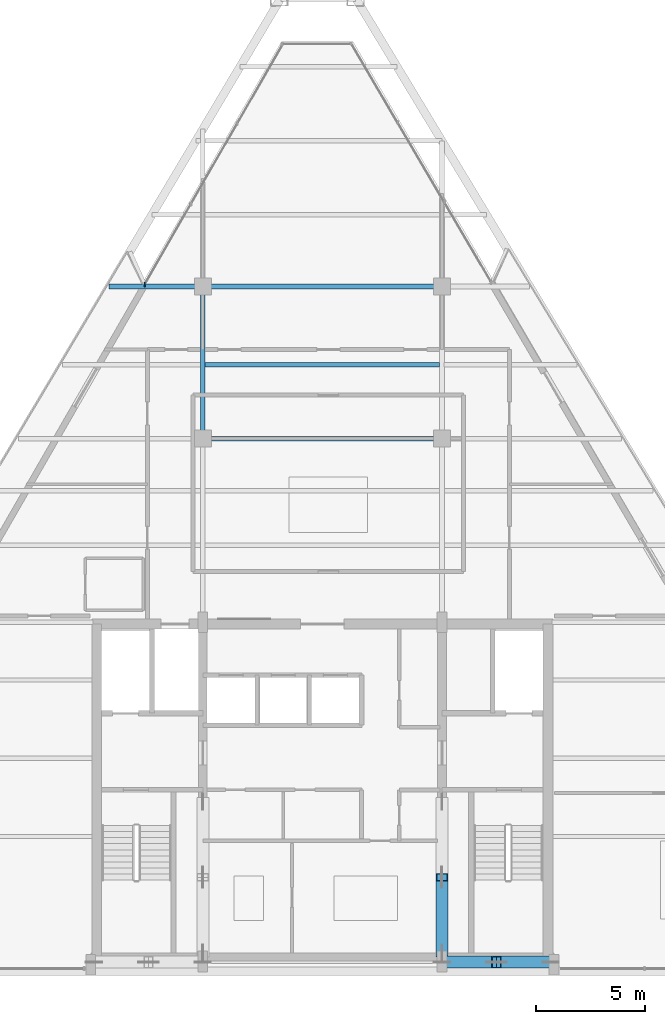
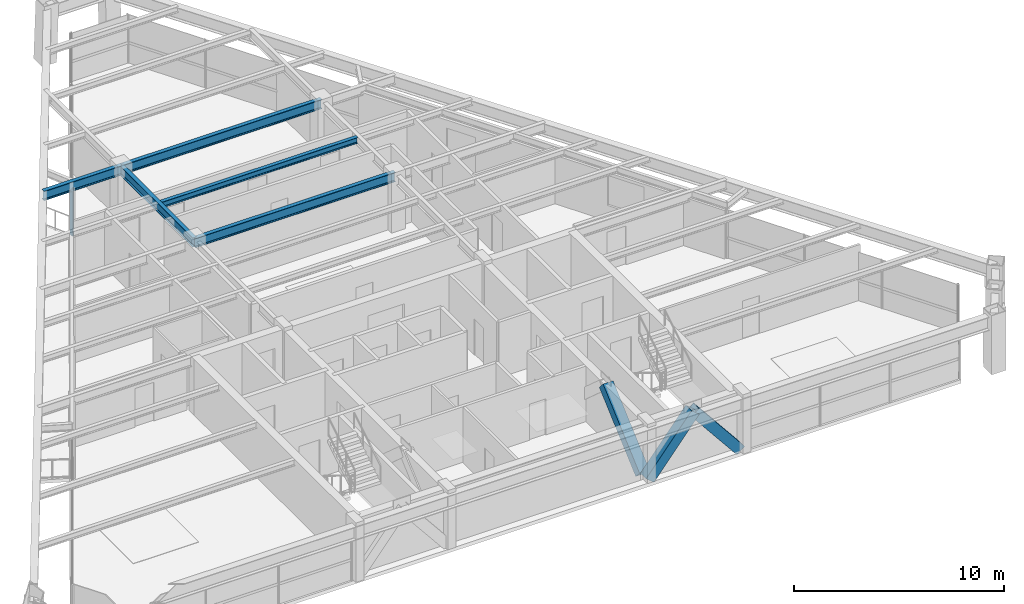
# One storey, part 4 of 13: 5 beams, 5 members, 1 element without a shape of its own.
"""IFC4 building model written with IfcOpenShell, lengths in metres."""

from ifc_helpers import new_model, si_unit, direction, frame, origin, origin_2d, place, context, subcontext, project, spatial, rectangle, hollow_rectangle, i_section, extrude, source, transform, mapped, material, material_profile, profile_set, type_object, element, aggregate, save


model = new_model("IFC4")

# Units and contexts
model_context = context("Model", 3, precision=1e-05, world=origin(), true_north=direction((0.0, 1.0)))
body_context = subcontext(model_context, "Body", "Model", "MODEL_VIEW")
ifc_project = project(units=[si_unit("LENGTHUNIT", "METRE"), si_unit("AREAUNIT", "SQUARE_METRE"), si_unit("VOLUMEUNIT", "CUBIC_METRE"), si_unit("PLANEANGLEUNIT", "RADIAN"), si_unit("MASSUNIT", "GRAM", prefix="KILO")], contexts=[model_context])

# Site, building, storey
site_placement = place(None, origin())
site = spatial("IfcSite", under=ifc_project, at=site_placement, CompositionType="ELEMENT")
building_placement = place(site_placement, origin())
building = spatial("IfcBuilding", under=site, at=building_placement, Name="Varnakhor Terracotta Tower", CompositionType="ELEMENT")
storey_placement = place(building_placement, frame((0.0, 0.0, 283.35009765625)))
storey = spatial("IfcBuildingStorey", under=building, at=storey_placement, Name="L74", CompositionType="ELEMENT", Elevation=283.35009765625)

# Beams
ifc_material_1 = material(Name="Steel S355", Category="steel")
ifc_material_profile_1 = material_profile(ifc_material_1, i_section(OverallWidth=0.214111328125, OverallDepth=0.549072265625, WebThickness=0.014892578125, FlangeThickness=0.02392578125, FilletRadius=0.01806640625, at=origin_2d()), Name="W21X93")
ifc_profile_set_1 = profile_set([ifc_material_profile_1], Name="Steel S355")
beam_type_1 = type_object("IfcBeamType", Name="BM-W21X93", PredefinedType="BEAM", material=ifc_profile_set_1)
shared_shape_1 = source(origin(), body_context, "Body", "SweptSolid", [
    extrude(i_section(OverallWidth=0.214111328125, OverallDepth=0.549072265625, WebThickness=0.014892578125, FlangeThickness=0.02392578125, FilletRadius=0.01806640625, at=origin_2d()), origin(), (0.0, 0.0, 1.0), 7.0),
])
beam_1_placement = place(storey_placement, frame((-5.5, 24.5, 2.96533203125), z_axis=(0.0, 1.0, 0.0), x_axis=(-1.0, 0.0, 0.0)))
element("IfcBeam", 1, at=beam_1_placement, inside=storey, type_object=beam_type_1, Name="L74 Primary Girder NS2-W", PredefinedType="BEAM", context=body_context, shape_type="MappedRepresentation", body=[
    mapped(shared_shape_1, transform((0.0, 0.0, 0.0), scale=1.0)),
])
shared_shape_2 = source(origin(), body_context, "Body", "SweptSolid", [
    extrude(i_section(OverallWidth=0.214111328125, OverallDepth=0.549072265625, WebThickness=0.014892578125, FlangeThickness=0.02392578125, FilletRadius=0.01806640625, at=origin_2d()), origin(), (0.0, 0.0, 1.0), 11.0),
])
for number, where, z_axis, x_axis, name in (
    (2, (-5.5, 24.5, 2.96533203125), (1.0, 0.0, 0.0), (0.0, 1.0, 0.0), "L74 Primary Girder EW2-2"),
    (3, (-5.5, 31.5, 2.96533203125), (1.0, 0.0, 0.0), (0.0, 1.0, 0.0), "L74 Primary Girder EW3-2"),
):
    element("IfcBeam", number, at=place(storey_placement, frame(where, z_axis=z_axis, x_axis=x_axis)), inside=storey, type_object=beam_type_1, Name=name, PredefinedType="BEAM", context=body_context, shape_type="MappedRepresentation", body=[
        mapped(shared_shape_2, transform((0.0, 0.0, 0.0), scale=1.0)),
    ])
ifc_material_profile_2 = material_profile(ifc_material_1, i_section(OverallWidth=0.202880859375, OverallDepth=0.346923828125, WebThickness=0.0078125, FlangeThickness=0.013427734375, FilletRadius=0.01806640625, at=origin_2d()), Name="W14X43")
ifc_profile_set_2 = profile_set([ifc_material_profile_2], Name="Steel S355")
beam_type_2 = type_object("IfcBeamType", Name="JST-W14X43", PredefinedType="JOIST", material=ifc_profile_set_2)
shared_shape_3 = source(origin(), body_context, "Body", "SweptSolid", [
    extrude(i_section(OverallWidth=0.202880859375, OverallDepth=0.346923828125, WebThickness=0.0078125, FlangeThickness=0.013427734375, FilletRadius=0.01806640625, at=origin_2d()), origin(), (0.0, 0.0, 1.0), 10.7939453125),
])
beam_2_placement = place(storey_placement, frame((-5.39697265625, 27.89990234375, 3.06640625), z_axis=(1.0, 0.0, 0.0), x_axis=(0.0, 1.0, 0.0)))
element("IfcBeam", 4, at=beam_2_placement, inside=storey, type_object=beam_type_2, Name="L74 Composite Floor Joist 6-2", PredefinedType="JOIST", context=body_context, shape_type="MappedRepresentation", body=[
    mapped(shared_shape_3, transform((0.0, 0.0, 0.0), scale=1.0)),
])

# Members
ifc_material_profile_3 = material_profile(ifc_material_1, hollow_rectangle(XDim=0.550048828125, YDim=0.550048828125, WallThickness=0.034912109375, at=origin_2d()), Name="HSS550X550X35")
ifc_profile_set_3 = profile_set([ifc_material_profile_3], Name="Steel S355")
member_type_1 = type_object("IfcMemberType", Name="MBR-MEGA-550", PredefinedType="BRACE", material=ifc_profile_set_3)
shared_shape_4 = source(origin(), body_context, "Body", "SweptSolid", [
    extrude(hollow_rectangle(XDim=0.550048828125, YDim=0.550048828125, WallThickness=0.034912109375, at=origin_2d()), origin(), (0.0, 0.0, 1.0), 3.974609375),
])
for number, where, z_axis, x_axis, name in (
    (5, (5.5, 0.419921875, 0.0), (0.629000299358, 0.0, 0.777405057488), (0.0, 1.0, 0.0), "L74 Core Coupled Brace CSEA"),
    (6, (10.5, 0.419921875, 0.0), (-0.629000299358, 0.0, 0.777405057488), (0.0, -1.0, 0.0), "L74 Core Coupled Brace CSEB"),
):
    element("IfcMember", number, at=place(storey_placement, frame(where, z_axis=z_axis, x_axis=x_axis)), inside=storey, type_object=member_type_1, Name=name, PredefinedType="BRACE", context=body_context, shape_type="MappedRepresentation", body=[
        mapped(shared_shape_4, transform((0.0, 0.0, 0.0), scale=1.0)),
    ])
shared_shape_5 = source(origin(), body_context, "Body", "SweptSolid", [
    extrude(hollow_rectangle(XDim=0.550048828125, YDim=0.550048828125, WallThickness=0.034912109375, at=origin_2d()), origin(), (0.0, 0.0, 1.0), 4.64990234375),
])
member_1_placement = place(storey_placement, frame((5.5, 0.85009765625, 0.0), z_axis=(0.0, 0.747293435799, 0.664494184182), x_axis=(-1.0, 0.0, 0.0)))
element("IfcMember", 7, at=member_1_placement, inside=storey, type_object=member_type_1, Name="L74 Core Coupled Brace CWEA", PredefinedType="BRACE", context=body_context, shape_type="MappedRepresentation", body=[
    mapped(shared_shape_5, transform((0.0, 0.0, 0.0), scale=1.0)),
])

# Beam
shared_shape_6 = source(origin(), body_context, "Body", "SweptSolid", [
    extrude(i_section(OverallWidth=0.214111328125, OverallDepth=0.549072265625, WebThickness=0.014892578125, FlangeThickness=0.02392578125, FilletRadius=0.01806640625, at=origin_2d()), origin(), (0.0, 0.0, 1.0), 4.30517578125),
])
beam_3_placement = place(storey_placement, frame((-9.80517578125, 31.5, 2.96533203125), z_axis=(1.0, 0.0, 0.0), x_axis=(0.0, 1.0, 0.0)))
element("IfcBeam", 8, at=beam_3_placement, inside=storey, type_object=beam_type_1, Name="L74 Primary Girder EW3-1", PredefinedType="BEAM", context=body_context, shape_type="MappedRepresentation", body=[
    mapped(shared_shape_6, transform((0.0, 0.0, 0.0), scale=1.0)),
])

# Curtain wall, members
ifc_material_2 = material(Name="Anodised Aluminium Curtain Wall System", Category="aluminium")
curtain_wall_type = type_object("IfcCurtainWallType", Name="CW-SYS-HOTEL-LOGGIA", PredefinedType="NOTDEFINED", material=ifc_material_2)
curtain_wall_placement = place(storey_placement, origin())
curtain_wall = element("IfcCurtainWall", 9, at=curtain_wall_placement, inside=storey, type_object=curtain_wall_type, Name="L74 W Facet Curtain Wall 2", PredefinedType="NOTDEFINED")
ifc_material_3 = material(Name="Anodised Aluminium 6063-T6", Category="aluminium")
ifc_material_profile_4 = material_profile(ifc_material_3, rectangle(XDim=0.06494140625, YDim=0.159912109375, at=origin_2d()), Name="ALU MULLION 65x160")
ifc_profile_set_4 = profile_set([ifc_material_profile_4], Name="Anodised Aluminium 6063-T6")
member_type_2 = type_object("IfcMemberType", Name="CWM-04", PredefinedType="MULLION", material=ifc_profile_set_4)
shared_shape_7 = source(origin(), body_context, "Body", "SweptSolid", [
    extrude(rectangle(XDim=0.06494140625, YDim=0.159912109375, at=origin_2d()), origin(), (0.0, 0.0, 1.0), 2.81982421875),
])
member_2_placement = place(storey_placement, frame((-8.171630859375, 31.6044921875, 0.0), z_axis=(0.0, 0.0, 1.0), x_axis=(1.0, 0.0, 0.0)))
member_2 = element("IfcMember", 10, at=member_2_placement, type_object=member_type_2, Name="L74 W Facet Curtain Wall 2 Mullion 1", PredefinedType="MULLION", context=body_context, shape_type="MappedRepresentation", body=[
    mapped(shared_shape_7, transform((0.0, 0.0, 0.0), scale=1.0)),
])
member_3_placement = place(storey_placement, frame((-8.16943359375, 31.568603515625, 0.0), z_axis=(0.0, 0.0, 1.0), x_axis=(1.0, 0.0, 0.0)))
member_3 = element("IfcMember", 11, at=member_3_placement, type_object=member_type_2, Name="L74 W Loggia Jamb Closure Mullion 2", PredefinedType="MULLION", context=body_context, shape_type="MappedRepresentation", body=[
    mapped(shared_shape_7, transform((0.0, 0.0, 0.0), scale=1.0)),
])
aggregate(curtain_wall, [member_2, member_3])

save(model, "model.ifc")
